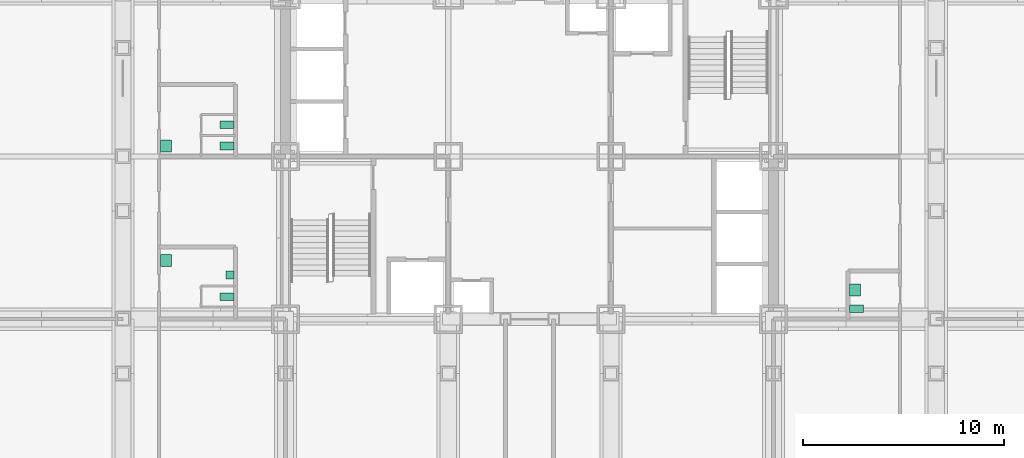
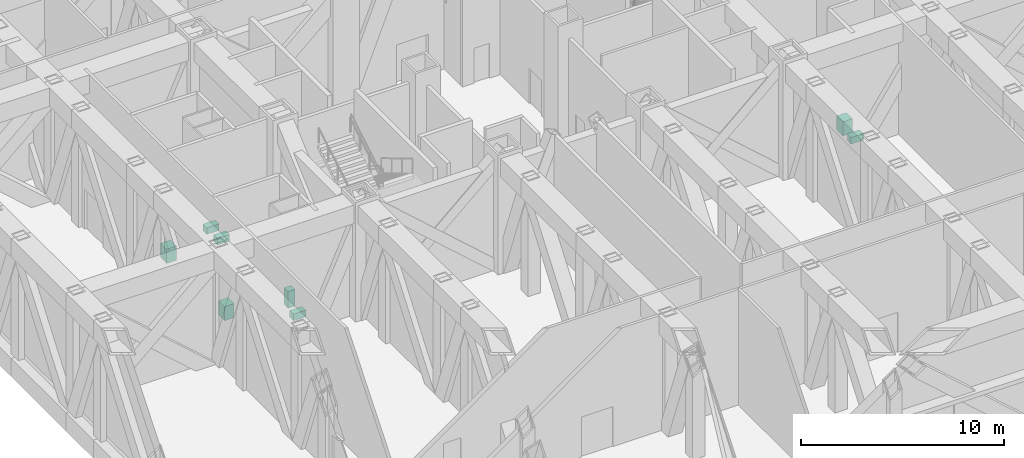
# One storey, part 13 of 13: 8 sanitary terminals.
"""IFC4 building model written with IfcOpenShell, lengths in metres."""

from ifc_helpers import new_model, si_unit, direction, frame, origin, origin_2d, place, context, subcontext, project, spatial, rectangle, extrude, material, element, save


model = new_model("IFC4")

# Units and contexts
model_context = context("Model", 3, precision=1e-05, world=origin(), true_north=direction((0.0, 1.0)))
body_context = subcontext(model_context, "Body", "Model", "MODEL_VIEW")
ifc_project = project(units=[si_unit("LENGTHUNIT", "METRE"), si_unit("AREAUNIT", "SQUARE_METRE"), si_unit("VOLUMEUNIT", "CUBIC_METRE"), si_unit("PLANEANGLEUNIT", "RADIAN"), si_unit("MASSUNIT", "GRAM", prefix="KILO")], contexts=[model_context])

# Site, building, storey
site_placement = place(None, origin())
site = spatial("IfcSite", under=ifc_project, at=site_placement, CompositionType="ELEMENT")
building_placement = place(site_placement, origin())
building = spatial("IfcBuilding", under=site, at=building_placement, Name="Kopane Lantern Tower", CompositionType="ELEMENT")
storey_placement = place(building_placement, frame((0.0, 0.0, 90.800048828125)))
storey = spatial("IfcBuildingStorey", under=building, at=storey_placement, Name="L23", CompositionType="ELEMENT", Elevation=90.800048828125)

# Sanitary terminals
ifc_material = material(Name="Vitreous china")
sanitary_terminal_1_placement = place(storey_placement, frame((13.27490234375, 25.425048828125, 0.0), z_axis=(0.0, 0.0, 1.0), x_axis=(1.0, 0.0, 0.0)))
element("IfcSanitaryTerminal", 1, at=sanitary_terminal_1_placement, inside=storey, material=ifc_material, Name="WC pan L23", PredefinedType="TOILETPAN", context=body_context, shape_type="SweptSolid", body=[
    extrude(rectangle(XDim=0.699951171875, YDim=0.3798828125, at=origin_2d()), origin(), (0.0, 0.0, 1.0), 0.39990234375),
])
sanitary_terminal_2_placement = place(storey_placement, frame((13.425048828125, 26.5, 0.0), z_axis=(0.0, 0.0, 1.0), x_axis=(1.0, 0.0, 0.0)))
element("IfcSanitaryTerminal", 2, at=sanitary_terminal_2_placement, inside=storey, material=ifc_material, Name="Urinal L23", PredefinedType="URINAL", context=body_context, shape_type="SweptSolid", body=[
    extrude(rectangle(XDim=0.39990234375, YDim=0.39990234375, at=origin_2d()), origin(), (0.0, 0.0, 1.0), 1.0),
])
sanitary_terminal_3_placement = place(storey_placement, frame((10.25, 27.22509765625, 0.0), z_axis=(0.0, 0.0, 1.0), x_axis=(1.0, 0.0, 0.0)))
element("IfcSanitaryTerminal", 3, at=sanitary_terminal_3_placement, inside=storey, material=ifc_material, Name="Wash basin L23", PredefinedType="WASHHANDBASIN", context=body_context, shape_type="SweptSolid", body=[
    extrude(rectangle(XDim=0.550048828125, YDim=0.60009765625, at=origin_2d()), origin(), (0.0, 0.0, 1.0), 0.85009765625),
])
for number, where, z_axis, x_axis, name in (
    (4, (13.27490234375, 32.925048828125, 0.0), (0.0, 0.0, 1.0), (1.0, 0.0, 0.0), "WC pan L23"),
    (5, (13.27490234375, 33.97509765625, 0.0), (0.0, 0.0, 1.0), (1.0, 0.0, 0.0), "WC pan L23"),
):
    element("IfcSanitaryTerminal", number, at=place(storey_placement, frame(where, z_axis=z_axis, x_axis=x_axis)), inside=storey, material=ifc_material, Name=name, PredefinedType="TOILETPAN", context=body_context, shape_type="SweptSolid", body=[
        extrude(rectangle(XDim=0.699951171875, YDim=0.3798828125, at=origin_2d()), origin(), (0.0, 0.0, 1.0), 0.39990234375),
    ])
sanitary_terminal_4_placement = place(storey_placement, frame((10.25, 32.925048828125, 0.0), z_axis=(0.0, 0.0, 1.0), x_axis=(1.0, 0.0, 0.0)))
element("IfcSanitaryTerminal", 6, at=sanitary_terminal_4_placement, inside=storey, material=ifc_material, Name="Wash basin L23", PredefinedType="WASHHANDBASIN", context=body_context, shape_type="SweptSolid", body=[
    extrude(rectangle(XDim=0.550048828125, YDim=0.60009765625, at=origin_2d()), origin(), (0.0, 0.0, 1.0), 0.85009765625),
])
sanitary_terminal_5_placement = place(storey_placement, frame((44.625, 24.824951171875, 0.0), z_axis=(0.0, 0.0, 1.0), x_axis=(1.0, 0.0, 0.0)))
element("IfcSanitaryTerminal", 7, at=sanitary_terminal_5_placement, inside=storey, material=ifc_material, Name="WC pan L23", PredefinedType="TOILETPAN", context=body_context, shape_type="SweptSolid", body=[
    extrude(rectangle(XDim=0.699951171875, YDim=0.3798828125, at=origin_2d()), origin(), (0.0, 0.0, 1.0), 0.39990234375),
])
sanitary_terminal_6_placement = place(storey_placement, frame((44.550048828125, 25.75, 0.0), z_axis=(0.0, 0.0, 1.0), x_axis=(1.0, 0.0, 0.0)))
element("IfcSanitaryTerminal", 8, at=sanitary_terminal_6_placement, inside=storey, material=ifc_material, Name="Wash basin L23", PredefinedType="WASHHANDBASIN", context=body_context, shape_type="SweptSolid", body=[
    extrude(rectangle(XDim=0.550048828125, YDim=0.60009765625, at=origin_2d()), origin(), (0.0, 0.0, 1.0), 0.85009765625),
])

save(model, "model.ifc")
